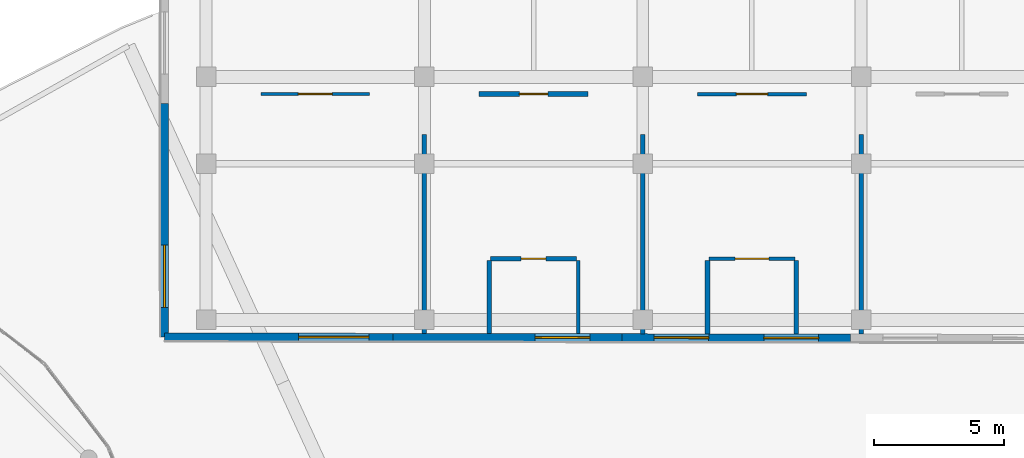
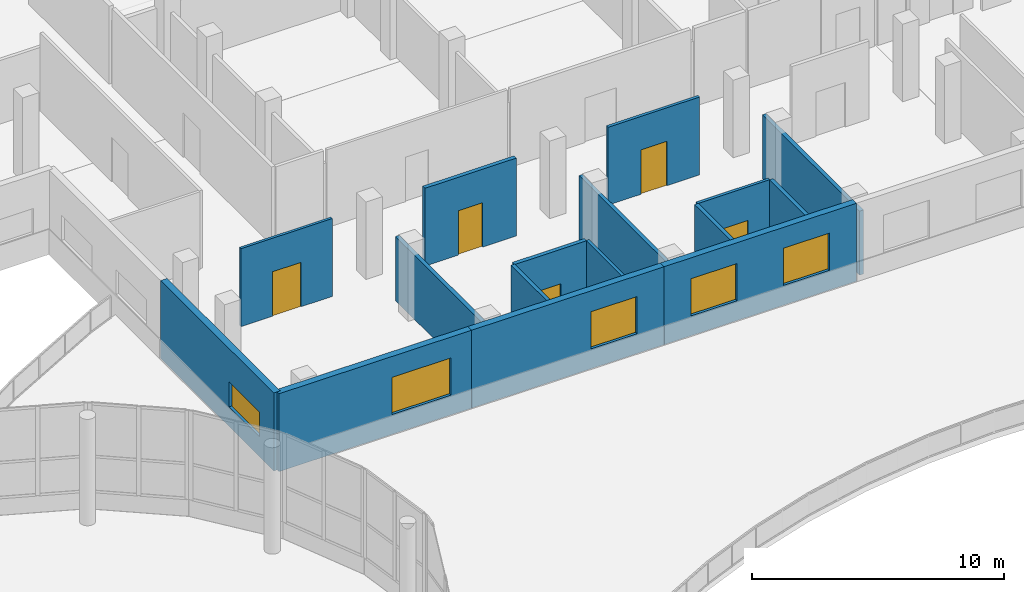
# One storey, part 83 of 101: 16 walls, 5 doors, 5 windows, 10 openings.
"""IFC4 building model written with IfcOpenShell, lengths in metres."""

from ifc_helpers import new_model, si_unit, direction, frame, frame_2d, origin, place, context, subcontext, project, spatial, rectangle, extrude, material, layer, layer_set, type_object, element, fill, save


model = new_model("IFC4")

# Units and contexts
model_context = context("Model", 3, precision=1e-05, world=origin(), true_north=direction((0.0, 1.0)))
body_context = subcontext(model_context, "Body", "Model", "MODEL_VIEW")
ifc_project = project(units=[si_unit("LENGTHUNIT", "METRE"), si_unit("AREAUNIT", "SQUARE_METRE"), si_unit("VOLUMEUNIT", "CUBIC_METRE"), si_unit("PLANEANGLEUNIT", "RADIAN"), si_unit("MASSUNIT", "GRAM", prefix="KILO")], contexts=[model_context])

# Site, building, storey
site_placement = place(None, origin())
site = spatial("IfcSite", under=ifc_project, at=site_placement, CompositionType="ELEMENT")
building_placement = place(site_placement, origin())
building = spatial("IfcBuilding", under=site, at=building_placement, Name="Selatvlak General Hospital", CompositionType="ELEMENT")
storey_placement = place(building_placement, frame((0.0, 0.0, 19.199951171875)))
storey = spatial("IfcBuildingStorey", under=building, at=storey_placement, Name="L04", CompositionType="ELEMENT", Elevation=19.199951171875)

# Wall, openings, windows
ifc_material_1 = material(Name="Precast concrete C40/50 - white fair-faced", Category="concrete")
ifc_layer_1 = layer(ifc_material_1, 0.300048828125, Name="Precast concrete C40/50 - white fair-faced", Category="concrete")
ifc_layer_set_1 = layer_set([ifc_layer_1], Name="Precast concrete C40/50 - white fair-faced")
wall_type_1 = type_object("IfcWallType", Name="WALL-EW-01", PredefinedType="SOLIDWALL", material=ifc_layer_set_1)
wall_1_placement = place(storey_placement, frame((140.0, 65.955078125, 0.0), z_axis=(0.0, 0.0, 1.0), x_axis=(-0.999998567696, 0.001692514432, 0.0)))
wall_1 = element("IfcWall", 1, at=wall_1_placement, inside=storey, type_object=wall_type_1, Name="L04 exterior wall 0458", PredefinedType="SOLIDWALL", context=body_context, shape_type="SweptSolid", body=[
    extrude(rectangle(XDim=8.799072265625, YDim=0.300048828125, at=frame_2d((4.3994140625, 0.0))), origin(), (0.0, 0.0, 1.0), 3.77001953125),
])
opening_1_placement = place(wall_1_placement, frame((1.238037109375, 0.0, 0.9599609375)))
opening_1 = element("IfcOpeningElement", 2, at=opening_1_placement, cuts=wall_1, Name="Opening WN-21", PredefinedType="OPENING", context=body_context, shape_type="SweptSolid", body=[
    extrude(rectangle(XDim=2.10009765625, YDim=1.800048828125, at=frame_2d((1.050048828125, 0.89990234375))), frame((0.0, 0.159912109375, 0.0), z_axis=(0.0, -1.0, 0.0), x_axis=(1.0, 0.0, 0.0)), (0.0, 0.0, 1.0), 0.320068359375),
])
opening_2_placement = place(wall_1_placement, frame((5.4609375, 0.0, 0.9599609375)))
opening_2 = element("IfcOpeningElement", 3, at=opening_2_placement, cuts=wall_1, Name="Opening WN-21", PredefinedType="OPENING", context=body_context, shape_type="SweptSolid", body=[
    extrude(rectangle(XDim=2.10009765625, YDim=1.800048828125, at=frame_2d((1.050048828125, 0.89990234375))), frame((0.0, 0.159912109375, 0.0), z_axis=(0.0, -1.0, 0.0), x_axis=(1.0, 0.0, 0.0)), (0.0, 0.0, 1.0), 0.320068359375),
])
ifc_material_2 = material(Name="Thermally broken aluminium Low-E window", Category="aluminium")
window_type_1 = type_object("IfcWindowType", Name="WIN-WN-21", PartitioningType="SINGLE_PANEL", PredefinedType="WINDOW", material=ifc_material_2)
window_1_placement = place(opening_1_placement, origin())
window_1 = element("IfcWindow", 4, at=window_1_placement, inside=storey, type_object=window_type_1, Name="L04 Bauhaus ribbon window 0078", OverallHeight=1.800048828125, OverallWidth=2.10009765625, PartitioningType="SINGLE_PANEL", PredefinedType="WINDOW", context=body_context, shape_type="SweptSolid", body=[
    extrude(rectangle(XDim=2.10009765625, YDim=1.800048828125, at=frame_2d((1.050048828125, 0.89990234375))), frame((0.0, 0.030029296875, 0.0), z_axis=(0.0, -1.0, 0.0), x_axis=(1.0, 0.0, 0.0)), (0.0, 0.0, 1.0), 0.06005859375),
])
fill(opening_1, window_1)
window_2_placement = place(opening_2_placement, origin())
window_2 = element("IfcWindow", 5, at=window_2_placement, inside=storey, type_object=window_type_1, Name="L04 Bauhaus ribbon window 0079", OverallHeight=1.800048828125, OverallWidth=2.10009765625, PartitioningType="SINGLE_PANEL", PredefinedType="WINDOW", context=body_context, shape_type="SweptSolid", body=[
    extrude(rectangle(XDim=2.10009765625, YDim=1.800048828125, at=frame_2d((1.050048828125, 0.89990234375))), frame((0.0, 0.030029296875, 0.0), z_axis=(0.0, -1.0, 0.0), x_axis=(1.0, 0.0, 0.0)), (0.0, 0.0, 1.0), 0.06005859375),
])
fill(opening_2, window_2)

# Wall, opening, window
wall_2_placement = place(storey_placement, frame((131.200927734375, 65.969970703125, 0.0), z_axis=(0.0, 0.0, 1.0), x_axis=(-0.999998520679, 0.001720069588, 0.0)))
wall_2 = element("IfcWall", 6, at=wall_2_placement, inside=storey, type_object=wall_type_1, Name="L04 exterior wall 0459", PredefinedType="SOLIDWALL", context=body_context, shape_type="SweptSolid", body=[
    extrude(rectangle(XDim=8.800048828125, YDim=0.300048828125, at=frame_2d((4.39990234375, 0.0))), origin(), (0.0, 0.0, 1.0), 3.77001953125),
])
opening_3_placement = place(wall_2_placement, frame((1.238037109375, 0.0, 0.9599609375)))
opening_3 = element("IfcOpeningElement", 7, at=opening_3_placement, cuts=wall_2, Name="Opening WN-21", PredefinedType="OPENING", context=body_context, shape_type="SweptSolid", body=[
    extrude(rectangle(XDim=2.10009765625, YDim=1.800048828125, at=frame_2d((1.050048828125, 0.89990234375))), frame((0.0, 0.159912109375, 0.0), z_axis=(0.0, -1.0, 0.0), x_axis=(1.0, 0.0, 0.0)), (0.0, 0.0, 1.0), 0.320068359375),
])
window_3_placement = place(opening_3_placement, origin())
window_3 = element("IfcWindow", 8, at=window_3_placement, inside=storey, type_object=window_type_1, Name="L04 Bauhaus ribbon window 0080", OverallHeight=1.800048828125, OverallWidth=2.10009765625, PartitioningType="SINGLE_PANEL", PredefinedType="WINDOW", context=body_context, shape_type="SweptSolid", body=[
    extrude(rectangle(XDim=2.10009765625, YDim=1.800048828125, at=frame_2d((1.050048828125, 0.89990234375))), frame((0.0, 0.030029296875, 0.0), z_axis=(0.0, -1.0, 0.0), x_axis=(1.0, 0.0, 0.0)), (0.0, 0.0, 1.0), 0.06005859375),
])
fill(opening_3, window_3)

wall_3_placement = place(storey_placement, frame((122.40087890625, 65.985107421875, 0.0), z_axis=(0.0, 0.0, 1.0), x_axis=(-0.999998567935, 0.001692373561, 0.0)))
wall_3 = element("IfcWall", 9, at=wall_3_placement, inside=storey, type_object=wall_type_1, Name="L04 exterior wall 0460", PredefinedType="SOLIDWALL", context=body_context, shape_type="SweptSolid", body=[
    extrude(rectangle(XDim=8.7998046875, YDim=0.300048828125, at=frame_2d((4.39990234375, 0.0))), origin(), (0.0, 0.0, 1.0), 3.77001953125),
])
opening_4_placement = place(wall_3_placement, frame((0.93798828125, 0.0, 0.9599609375)))
opening_4 = element("IfcOpeningElement", 10, at=opening_4_placement, cuts=wall_3, Name="Opening WN-23", PredefinedType="OPENING", context=body_context, shape_type="SweptSolid", body=[
    extrude(rectangle(XDim=2.699951171875, YDim=1.800048828125, at=frame_2d((1.35009765625, 0.89990234375))), frame((0.0, 0.159912109375, 0.0), z_axis=(0.0, -1.0, 0.0), x_axis=(1.0, 0.0, 0.0)), (0.0, 0.0, 1.0), 0.320068359375),
])
window_type_2 = type_object("IfcWindowType", Name="WIN-WN-23", PartitioningType="SINGLE_PANEL", PredefinedType="WINDOW", material=ifc_material_2)
window_4_placement = place(opening_4_placement, origin())
window_4 = element("IfcWindow", 11, at=window_4_placement, inside=storey, type_object=window_type_2, Name="L04 Bauhaus ribbon window 0082", OverallHeight=1.800048828125, OverallWidth=2.699951171875, PartitioningType="SINGLE_PANEL", PredefinedType="WINDOW", context=body_context, shape_type="SweptSolid", body=[
    extrude(rectangle(XDim=2.699951171875, YDim=1.800048828125, at=frame_2d((1.35009765625, 0.89990234375))), frame((0.0, 0.030029296875, 0.0), z_axis=(0.0, -1.0, 0.0), x_axis=(1.0, 0.0, 0.0)), (0.0, 0.0, 1.0), 0.06005859375),
])
fill(opening_4, window_4)

wall_4_placement = place(storey_placement, frame((113.60107421875, 66.0, 0.0), z_axis=(0.0, 0.0, 1.0), x_axis=(-0.000108870199, 0.999999994074, 0.0)))
wall_4 = element("IfcWall", 12, at=wall_4_placement, inside=storey, type_object=wall_type_1, Name="L04 exterior wall 0461", PredefinedType="SOLIDWALL", context=body_context, shape_type="SweptSolid", body=[
    extrude(rectangle(XDim=8.969970703125, YDim=0.300048828125, at=frame_2d((4.48486328125, 0.0))), origin(), (0.0, 0.0, 1.0), 3.77001953125),
])
opening_5_placement = place(wall_4_placement, frame((1.132080078125, 0.0, 0.9599609375)))
opening_5 = element("IfcOpeningElement", 13, at=opening_5_placement, cuts=wall_4, Name="Opening WN-29", PredefinedType="OPENING", context=body_context, shape_type="SweptSolid", body=[
    extrude(rectangle(XDim=2.39990234375, YDim=1.199951171875, at=frame_2d((1.199951171875, 0.60009765625))), frame((0.0, 0.159912109375, 0.0), z_axis=(0.0, -1.0, 0.0), x_axis=(1.0, 0.0, 0.0)), (0.0, 0.0, 1.0), 0.320068359375),
])
window_type_3 = type_object("IfcWindowType", Name="WIN-WN-29", PartitioningType="SINGLE_PANEL", PredefinedType="WINDOW", material=ifc_material_2)
window_5_placement = place(opening_5_placement, origin())
window_5 = element("IfcWindow", 14, at=window_5_placement, inside=storey, type_object=window_type_3, Name="L04 Bauhaus ribbon window 0084", OverallHeight=1.199951171875, OverallWidth=2.39990234375, PartitioningType="SINGLE_PANEL", PredefinedType="WINDOW", context=body_context, shape_type="SweptSolid", body=[
    extrude(rectangle(XDim=2.39990234375, YDim=1.199951171875, at=frame_2d((1.199951171875, 0.60009765625))), frame((0.0, 0.030029296875, 0.0), z_axis=(0.0, -1.0, 0.0), x_axis=(1.0, 0.0, 0.0)), (0.0, 0.0, 1.0), 0.06005859375),
])
fill(opening_5, window_5)

# Wall
ifc_material_3 = material(Name="Acoustic gypsum stud partition")
ifc_layer_2 = layer(ifc_material_3, 0.179931640625, Name="Acoustic gypsum stud partition")
ifc_layer_set_2 = layer_set([ifc_layer_2], Name="Acoustic gypsum stud partition")
wall_type_2 = type_object("IfcWallType", Name="WALL-PT-01", PredefinedType="PARTITIONING", material=ifc_layer_set_2)
wall_5_placement = place(storey_placement, frame((123.60009765625, 73.7900390625, 0.0), z_axis=(0.0, 0.0, 1.0), x_axis=(0.0, -1.0, 0.0)))
element("IfcWall", 15, at=wall_5_placement, inside=storey, type_object=wall_type_2, Name="L04 clinical partition PT-L04-1670", PredefinedType="PARTITIONING", context=body_context, shape_type="SweptSolid", body=[
    extrude(rectangle(XDim=7.66015625, YDim=0.179931640625, at=frame_2d((3.830078125, 0.0))), origin(), (0.0, 0.0, 1.0), 3.10009765625),
])

# Wall, opening, door
wall_6_placement = place(storey_placement, frame((125.7080078125, 75.340087890625, 0.0), z_axis=(0.0, 0.0, 1.0), x_axis=(1.0, 0.0, 0.0)))
wall_6 = element("IfcWall", 16, at=wall_6_placement, inside=storey, type_object=wall_type_2, Name="L04 clinical partition PT-L04-1671", PredefinedType="PARTITIONING", context=body_context, shape_type="SweptSolid", body=[
    extrude(rectangle(XDim=4.18408203125, YDim=0.179931640625, at=frame_2d((2.092041015625, 0.0))), origin(), (0.0, 0.0, 1.0), 3.77001953125),
])
opening_6_placement = place(wall_6_placement, frame((1.5419921875, 0.0, 0.0)))
opening_6 = element("IfcOpeningElement", 17, at=opening_6_placement, cuts=wall_6, Name="Opening D-22", PredefinedType="OPENING", context=body_context, shape_type="SweptSolid", body=[
    extrude(rectangle(XDim=1.10009765625, YDim=2.14990234375, at=frame_2d((0.550048828125, 1.074951171875))), frame((0.0, 0.099853515625, 0.0), z_axis=(0.0, -1.0, 0.0), x_axis=(1.0, 0.0, 0.0)), (0.0, 0.0, 1.0), 0.199951171875),
])
ifc_material_4 = material(Name="Pharmacy security fire door")
door_type_1 = type_object("IfcDoorType", Name="DOOR-D-22", OperationType="NOTDEFINED", PredefinedType="DOOR", material=ifc_material_4)
door_1_placement = place(opening_6_placement, origin())
door_1 = element("IfcDoor", 18, at=door_1_placement, inside=storey, type_object=door_type_1, Name="L04 Single Patient Room 02 door", OperationType="SINGLE_SWING_RIGHT", OverallHeight=2.14990234375, OverallWidth=1.10009765625, PredefinedType="DOOR", context=body_context, shape_type="SweptSolid", body=[
    extrude(rectangle(XDim=1.10009765625, YDim=2.14990234375, at=frame_2d((0.550048828125, 1.074951171875))), frame((0.0, 0.02490234375, 0.0), z_axis=(0.0, -1.0, 0.0), x_axis=(1.0, 0.0, 0.0)), (0.0, 0.0, 1.0), 0.050048828125),
])
fill(opening_6, door_1)

wall_7_placement = place(storey_placement, frame((129.449951171875, 69.0, 0.0), z_axis=(0.0, 0.0, 1.0), x_axis=(-1.0, 0.0, 0.0)))
wall_7 = element("IfcWall", 19, at=wall_7_placement, inside=storey, type_object=wall_type_2, Name="L04 clinical partition PT-L04-1674", PredefinedType="PARTITIONING", context=body_context, shape_type="SweptSolid", body=[
    extrude(rectangle(XDim=3.300048828125, YDim=0.179931640625, at=frame_2d((1.64990234375, 0.0))), origin(), (0.0, 0.0, 1.0), 3.77001953125),
])
opening_7_placement = place(wall_7_placement, frame((1.175048828125, 0.0, 0.0)))
opening_7 = element("IfcOpeningElement", 20, at=opening_7_placement, cuts=wall_7, Name="Opening D-02", PredefinedType="OPENING", context=body_context, shape_type="SweptSolid", body=[
    extrude(rectangle(XDim=0.949951171875, YDim=2.10009765625, at=frame_2d((0.47509765625, 1.050048828125))), frame((0.0, 0.099853515625, 0.0), z_axis=(0.0, -1.0, 0.0), x_axis=(1.0, 0.0, 0.0)), (0.0, 0.0, 1.0), 0.199951171875),
])
ifc_material_5 = material(Name="Moisture-resistant en-suite door")
door_type_2 = type_object("IfcDoorType", Name="DOOR-D-02", OperationType="NOTDEFINED", PredefinedType="DOOR", material=ifc_material_5)
door_2_placement = place(opening_7_placement, origin())
door_2 = element("IfcDoor", 21, at=door_2_placement, inside=storey, type_object=door_type_2, Name="L04 Patient En-Suite WC 02 door", OperationType="SINGLE_SWING_LEFT", OverallHeight=2.10009765625, OverallWidth=0.949951171875, PredefinedType="DOOR", context=body_context, shape_type="SweptSolid", body=[
    extrude(rectangle(XDim=0.949951171875, YDim=2.10009765625, at=frame_2d((0.47509765625, 1.050048828125))), frame((0.0, 0.02490234375, 0.0), z_axis=(0.0, -1.0, 0.0), x_axis=(1.0, 0.0, 0.0)), (0.0, 0.0, 1.0), 0.050048828125),
])
fill(opening_7, door_2)

# Walls
wall_8_placement = place(storey_placement, frame((140.39990234375, 73.7900390625, 0.0), z_axis=(0.0, 0.0, 1.0), x_axis=(0.0, -1.0, 0.0)))
element("IfcWall", 22, at=wall_8_placement, inside=storey, type_object=wall_type_2, Name="L04 clinical partition PT-L04-1677", PredefinedType="PARTITIONING", context=body_context, shape_type="SweptSolid", body=[
    extrude(rectangle(XDim=7.68896484375, YDim=0.179931640625, at=frame_2d((3.844482421875, 0.0))), origin(), (0.0, 0.0, 1.0), 3.10009765625),
])
wall_9_placement = place(storey_placement, frame((134.489990234375, 68.93994140625, 0.0), z_axis=(0.0, 0.0, 1.0), x_axis=(0.0, -1.0, 0.0)))
element("IfcWall", 23, at=wall_9_placement, inside=storey, type_object=wall_type_2, Name="L04 clinical partition PT-L04-1680", PredefinedType="PARTITIONING", context=body_context, shape_type="SweptSolid", body=[
    extrude(rectangle(XDim=2.828857421875, YDim=0.179931640625, at=frame_2d((1.41455078125, 0.0))), origin(), (0.0, 0.0, 1.0), 3.77001953125),
])
ifc_layer_3 = layer(ifc_material_3, 0.1650390625, Name="Acoustic gypsum stud partition")
ifc_layer_set_3 = layer_set([ifc_layer_3], Name="Acoustic gypsum stud partition")
wall_type_3 = type_object("IfcWallType", Name="WALL-PT-02", PredefinedType="PARTITIONING", material=ifc_layer_set_3)
wall_10_placement = place(storey_placement, frame((132.0, 73.7900390625, 0.0), z_axis=(0.0, 0.0, 1.0), x_axis=(0.0, -1.0, 0.0)))
element("IfcWall", 24, at=wall_10_placement, inside=storey, type_object=wall_type_3, Name="L04 clinical partition PT-L04-1672", PredefinedType="PARTITIONING", context=body_context, shape_type="SweptSolid", body=[
    extrude(rectangle(XDim=7.674072265625, YDim=0.1650390625, at=frame_2d((3.8369140625, 0.0))), origin(), (0.0, 0.0, 1.0), 3.10009765625),
])
wall_11_placement = place(storey_placement, frame((126.090087890625, 68.93994140625, 0.0), z_axis=(0.0, 0.0, 1.0), x_axis=(0.0, -1.0, 0.0)))
element("IfcWall", 25, at=wall_11_placement, inside=storey, type_object=wall_type_3, Name="L04 clinical partition PT-L04-1675", PredefinedType="PARTITIONING", context=body_context, shape_type="SweptSolid", body=[
    extrude(rectangle(XDim=2.81396484375, YDim=0.1650390625, at=frame_2d((1.406982421875, 0.0))), origin(), (0.0, 0.0, 1.0), 3.77001953125),
])
wall_12_placement = place(storey_placement, frame((137.909912109375, 66.10595703125, 0.0), z_axis=(0.0, 0.0, 1.0), x_axis=(0.0, 1.0, 0.0)))
element("IfcWall", 26, at=wall_12_placement, inside=storey, type_object=wall_type_3, Name="L04 clinical partition PT-L04-1678", PredefinedType="PARTITIONING", context=body_context, shape_type="SweptSolid", body=[
    extrude(rectangle(XDim=2.833984375, YDim=0.1650390625, at=frame_2d((1.4169921875, 0.0))), origin(), (0.0, 0.0, 1.0), 3.77001953125),
])
ifc_material_6 = material(Name="Moisture-resistant clinical partition")
ifc_layer_4 = layer(ifc_material_6, 0.135009765625, Name="Moisture-resistant clinical partition")
ifc_layer_set_4 = layer_set([ifc_layer_4], Name="Moisture-resistant clinical partition")
wall_type_4 = type_object("IfcWallType", Name="WALL-PT-04", PredefinedType="PARTITIONING", material=ifc_layer_set_4)
wall_13_placement = place(storey_placement, frame((129.510009765625, 66.1201171875, 0.0), z_axis=(0.0, 0.0, 1.0), x_axis=(0.0, 1.0, 0.0)))
element("IfcWall", 27, at=wall_13_placement, inside=storey, type_object=wall_type_4, Name="L04 clinical partition PT-L04-1673", PredefinedType="PARTITIONING", context=body_context, shape_type="SweptSolid", body=[
    extrude(rectangle(XDim=2.81982421875, YDim=0.135009765625, at=frame_2d((1.409912109375, 0.0))), origin(), (0.0, 0.0, 1.0), 3.77001953125),
])

# Wall, opening, door
wall_14_placement = place(storey_placement, frame((134.10791015625, 75.340087890625, 0.0), z_axis=(0.0, 0.0, 1.0), x_axis=(1.0, 0.0, 0.0)))
wall_14 = element("IfcWall", 28, at=wall_14_placement, inside=storey, type_object=wall_type_4, Name="L04 clinical partition PT-L04-1676", PredefinedType="PARTITIONING", context=body_context, shape_type="SweptSolid", body=[
    extrude(rectangle(XDim=4.18408203125, YDim=0.135009765625, at=frame_2d((2.092041015625, 0.0))), origin(), (0.0, 0.0, 1.0), 3.77001953125),
])
opening_8_placement = place(wall_14_placement, frame((1.491943359375, 0.0, 0.0)))
opening_8 = element("IfcOpeningElement", 29, at=opening_8_placement, cuts=wall_14, Name="Opening D-07", PredefinedType="OPENING", context=body_context, shape_type="SweptSolid", body=[
    extrude(rectangle(XDim=1.199951171875, YDim=2.14990234375, at=frame_2d((0.60009765625, 1.074951171875))), frame((0.0, 0.077392578125, 0.0), z_axis=(0.0, -1.0, 0.0), x_axis=(1.0, 0.0, 0.0)), (0.0, 0.0, 1.0), 0.155029296875),
])
ifc_material_7 = material(Name="Plant and store fire door")
door_type_3 = type_object("IfcDoorType", Name="DOOR-D-07", OperationType="NOTDEFINED", PredefinedType="DOOR", material=ifc_material_7)
door_3_placement = place(opening_8_placement, origin())
door_3 = element("IfcDoor", 30, at=door_3_placement, inside=storey, type_object=door_type_3, Name="L04 Maternity Postnatal Patient Room 03 door", OperationType="SINGLE_SWING_RIGHT", OverallHeight=2.14990234375, OverallWidth=1.199951171875, PredefinedType="DOOR", context=body_context, shape_type="SweptSolid", body=[
    extrude(rectangle(XDim=1.199951171875, YDim=2.14990234375, at=frame_2d((0.60009765625, 1.074951171875))), frame((0.0, 0.02490234375, 0.0), z_axis=(0.0, -1.0, 0.0), x_axis=(1.0, 0.0, 0.0)), (0.0, 0.0, 1.0), 0.050048828125),
])
fill(opening_8, door_3)

wall_15_placement = place(storey_placement, frame((137.85009765625, 69.0, 0.0), z_axis=(0.0, 0.0, 1.0), x_axis=(-1.0, 0.0, 0.0)))
wall_15 = element("IfcWall", 31, at=wall_15_placement, inside=storey, type_object=wall_type_4, Name="L04 clinical partition PT-L04-1679", PredefinedType="PARTITIONING", context=body_context, shape_type="SweptSolid", body=[
    extrude(rectangle(XDim=3.300048828125, YDim=0.135009765625, at=frame_2d((1.64990234375, 0.0))), origin(), (0.0, 0.0, 1.0), 3.77001953125),
])
opening_9_placement = place(wall_15_placement, frame((1.0, 0.0, 0.0)))
opening_9 = element("IfcOpeningElement", 32, at=opening_9_placement, cuts=wall_15, Name="Opening D-09", PredefinedType="OPENING", context=body_context, shape_type="SweptSolid", body=[
    extrude(rectangle(XDim=1.300048828125, YDim=2.14990234375, at=frame_2d((0.64990234375, 1.074951171875))), frame((0.0, 0.077392578125, 0.0), z_axis=(0.0, -1.0, 0.0), x_axis=(1.0, 0.0, 0.0)), (0.0, 0.0, 1.0), 0.155029296875),
])
ifc_material_8 = material(Name="Outpatient procedure door")
door_type_4 = type_object("IfcDoorType", Name="DOOR-D-09", OperationType="NOTDEFINED", PredefinedType="DOOR", material=ifc_material_8)
door_4_placement = place(opening_9_placement, origin())
door_4 = element("IfcDoor", 33, at=door_4_placement, inside=storey, type_object=door_type_4, Name="L04 Patient En-Suite WC 03 door", OperationType="SINGLE_SWING_LEFT", OverallHeight=2.14990234375, OverallWidth=1.300048828125, PredefinedType="DOOR", context=body_context, shape_type="SweptSolid", body=[
    extrude(rectangle(XDim=1.300048828125, YDim=2.14990234375, at=frame_2d((0.64990234375, 1.074951171875))), frame((0.0, 0.02490234375, 0.0), z_axis=(0.0, -1.0, 0.0), x_axis=(1.0, 0.0, 0.0)), (0.0, 0.0, 1.0), 0.050048828125),
])
fill(opening_9, door_4)

ifc_layer_5 = layer(ifc_material_6, 0.1201171875, Name="Moisture-resistant clinical partition")
ifc_layer_set_5 = layer_set([ifc_layer_5], Name="Moisture-resistant clinical partition")
wall_type_5 = type_object("IfcWallType", Name="WALL-PT-05", PredefinedType="PARTITIONING", material=ifc_layer_set_5)
wall_16_placement = place(storey_placement, frame((117.30810546875, 75.340087890625, 0.0), z_axis=(0.0, 0.0, 1.0), x_axis=(1.0, 0.0, 0.0)))
wall_16 = element("IfcWall", 34, at=wall_16_placement, inside=storey, type_object=wall_type_5, Name="L04 clinical partition PT-L04-1669", PredefinedType="PARTITIONING", context=body_context, shape_type="SweptSolid", body=[
    extrude(rectangle(XDim=4.183837890625, YDim=0.1201171875, at=frame_2d((2.091796875, 0.0))), origin(), (0.0, 0.0, 1.0), 3.77001953125),
])
opening_10_placement = place(wall_16_placement, frame((1.44189453125, 0.0, 0.0)))
opening_10 = element("IfcOpeningElement", 35, at=opening_10_placement, cuts=wall_16, Name="Opening D-24", PredefinedType="OPENING", context=body_context, shape_type="SweptSolid", body=[
    extrude(rectangle(XDim=1.300048828125, YDim=2.14990234375, at=frame_2d((0.64990234375, 1.074951171875))), frame((0.0, 0.070068359375, 0.0), z_axis=(0.0, -1.0, 0.0), x_axis=(1.0, 0.0, 0.0)), (0.0, 0.0, 1.0), 0.14013671875),
])
ifc_material_9 = material(Name="Oncology bay door")
door_type_5 = type_object("IfcDoorType", Name="DOOR-D-24", OperationType="NOTDEFINED", PredefinedType="DOOR", material=ifc_material_9)
door_5_placement = place(opening_10_placement, origin())
door_5 = element("IfcDoor", 36, at=door_5_placement, inside=storey, type_object=door_type_5, Name="L04 Paediatric Inpatient Ward Bay 01 door", OperationType="SINGLE_SWING_LEFT", OverallHeight=2.14990234375, OverallWidth=1.300048828125, PredefinedType="DOOR", context=body_context, shape_type="SweptSolid", body=[
    extrude(rectangle(XDim=1.300048828125, YDim=2.14990234375, at=frame_2d((0.64990234375, 1.074951171875))), frame((0.0, 0.02490234375, 0.0), z_axis=(0.0, -1.0, 0.0), x_axis=(1.0, 0.0, 0.0)), (0.0, 0.0, 1.0), 0.050048828125),
])
fill(opening_10, door_5)

save(model, "model.ifc")
